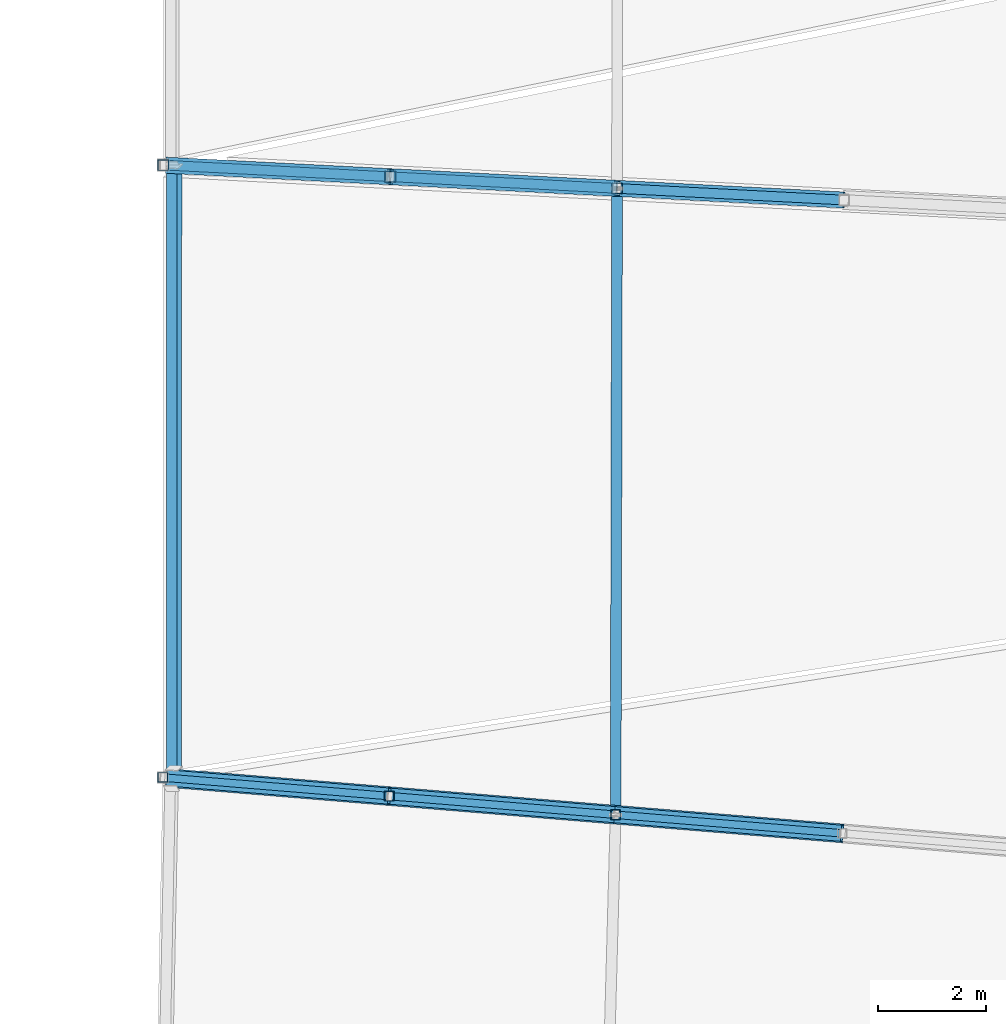
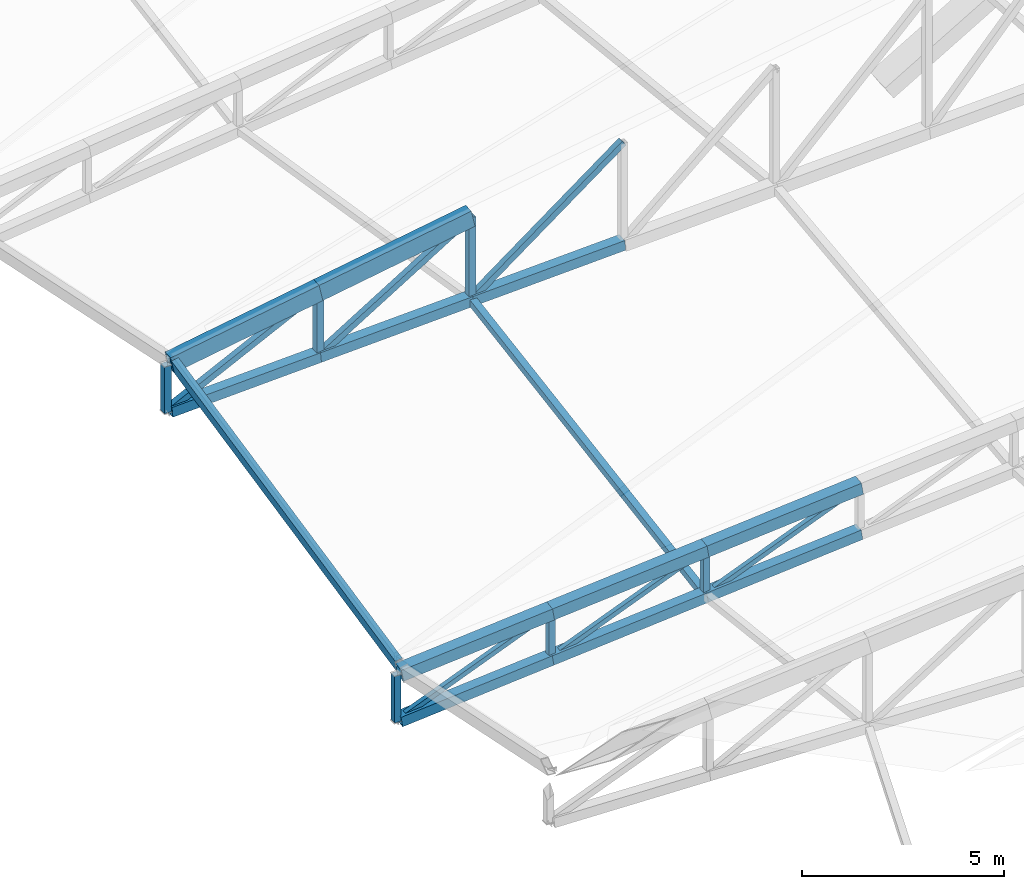
# One storey, part 97 of 344: 24 members, 1 beam.
"""IFC4 building model written with IfcOpenShell, lengths in metres."""

from ifc_helpers import new_model, si_unit, direction, frame, origin, origin_2d, place, context, subcontext, project, spatial, hollow_rectangle, extrude, material, material_profile, profile_set, type_object, element, save


model = new_model("IFC4")

# Units and contexts
model_context = context("Model", 3, precision=1e-05, world=origin(), true_north=direction((0.0, 1.0)))
body_context = subcontext(model_context, "Body", "Model", "MODEL_VIEW")
ifc_project = project(units=[si_unit("LENGTHUNIT", "METRE"), si_unit("AREAUNIT", "SQUARE_METRE"), si_unit("VOLUMEUNIT", "CUBIC_METRE"), si_unit("PLANEANGLEUNIT", "RADIAN"), si_unit("MASSUNIT", "GRAM", prefix="KILO")], contexts=[model_context])

# Site, building, storey
site_placement = place(None, origin())
site = spatial("IfcSite", under=ifc_project, at=site_placement, CompositionType="ELEMENT")
building_placement = place(site_placement, origin())
building = spatial("IfcBuilding", under=site, at=building_placement, Name="Meseta Stadium", CompositionType="ELEMENT")
storey_placement = place(building_placement, frame((0.0, 0.0, 24.0)))
storey = spatial("IfcBuildingStorey", under=building, at=storey_placement, Name="L04", CompositionType="ELEMENT", Elevation=24.0)

# Beam
ifc_material_1 = material(Name="Steel S355", Category="steel")
ifc_material_profile_1 = material_profile(ifc_material_1, hollow_rectangle(XDim=0.199951171875, YDim=0.39990234375, WallThickness=0.01611328125, at=origin_2d()), Name="RHS 400x200x16")
ifc_profile_set_1 = profile_set([ifc_material_profile_1], Name="Steel S355")
beam_type = type_object("IfcBeamType", Name="RHS 400x200x16 tip ring beam", PredefinedType="BEAM", material=ifc_profile_set_1)
beam_placement = place(storey_placement, frame((47.18701171875, -39.6552734375, 2.591796875), z_axis=(0.000727029531, 0.978410682572, 0.206668835717), x_axis=(-0.976934286035, 0.044826790608, -0.208782086428)))
element("IfcBeam", 1, at=beam_placement, inside=storey, type_object=beam_type, Name="TIP RING BEAM 02", PredefinedType="BEAM", context=body_context, shape_type="SweptSolid", body=[
    extrude(hollow_rectangle(XDim=0.199951171875, YDim=0.39990234375, WallThickness=0.01611328125, at=origin_2d()), origin(), (0.0, 0.0, 1.0), 11.41748046875),
])

# Members
ifc_material_2 = material(Name="Steel S355", Category="steel")
ifc_material_profile_2 = material_profile(ifc_material_2, hollow_rectangle(XDim=0.300048828125, YDim=0.5, WallThickness=0.01611328125, at=origin_2d()), Name="RHS 500x300x16")
ifc_profile_set_2 = profile_set([ifc_material_profile_2], Name="Steel S355")
member_type_1 = type_object("IfcMemberType", Name="RHS 500x300x16 top chord", PredefinedType="CHORD", material=ifc_profile_set_2)
member_1_placement = place(storey_placement, frame((47.088623046875, -28.45849609375, 4.95703125), z_axis=(0.976914652207, -0.050203604023, 0.207647201874), x_axis=(0.051322234625, 0.998682145747, 0.0)))
element("IfcMember", 2, at=member_1_placement, inside=storey, type_object=member_type_1, Name="ROOF TRUSS RT-02 top chord", PredefinedType="CHORD", context=body_context, shape_type="SweptSolid", body=[
    extrude(hollow_rectangle(XDim=0.300048828125, YDim=0.5, WallThickness=0.01611328125, at=origin_2d()), origin(), (0.0, 0.0, 1.0), 4.21630859375),
])
member_2_placement = place(storey_placement, frame((51.20751953125, -28.670166015625, 5.83251953125), z_axis=(0.976916249712, -0.050225893339, 0.207634295547), x_axis=(0.051344876791, 0.998680981909, 0.0)))
element("IfcMember", 3, at=member_2_placement, inside=storey, type_object=member_type_1, Name="ROOF TRUSS RT-02 top chord", PredefinedType="CHORD", context=body_context, shape_type="SweptSolid", body=[
    extrude(hollow_rectangle(XDim=0.300048828125, YDim=0.5, WallThickness=0.01611328125, at=origin_2d()), origin(), (0.0, 0.0, 1.0), 4.31640625),
])
ifc_material_3 = material(Name="Steel S355", Category="steel")
ifc_material_profile_3 = material_profile(ifc_material_3, hollow_rectangle(XDim=0.139892578125, YDim=0.139892578125, WallThickness=0.0048828125, at=origin_2d()), Name="SHS 140x140x5")
ifc_profile_set_3 = profile_set([ifc_material_profile_3], Name="Steel S355")
member_type_2 = type_object("IfcMemberType", Name="SHS 140x140x5 diagonal", PredefinedType="BRACE", material=ifc_profile_set_3)
member_3_placement = place(storey_placement, frame((46.982421875, -39.834228515625, 1.0986328125), z_axis=(0.897420022846, -0.073778380852, 0.434964427411), x_axis=(0.081935226242, 0.996637656674, 0.0)))
element("IfcMember", 4, at=member_3_placement, inside=storey, type_object=member_type_2, Name="ROOF TRUSS RT-01 diagonal", PredefinedType="BRACE", context=body_context, shape_type="SweptSolid", body=[
    extrude(hollow_rectangle(XDim=0.139892578125, YDim=0.139892578125, WallThickness=0.0048828125, at=origin_2d()), origin(), (0.0, 0.0, 1.0), 4.68896484375),
])
member_4_placement = place(storey_placement, frame((51.1904296875, -40.18017578125, 1.732177734375), z_axis=(0.897426764102, -0.073835285843, 0.434940862231), x_axis=(0.08199738602, 0.996632544465, 0.0)))
element("IfcMember", 5, at=member_4_placement, inside=storey, type_object=member_type_2, Name="ROOF TRUSS RT-01 diagonal", PredefinedType="BRACE", context=body_context, shape_type="SweptSolid", body=[
    extrude(hollow_rectangle(XDim=0.139892578125, YDim=0.139892578125, WallThickness=0.0048828125, at=origin_2d()), origin(), (0.0, 0.0, 1.0), 4.688720703125),
])
member_5_placement = place(storey_placement, frame((55.398193359375, -40.5263671875, 2.36572265625), z_axis=(0.897440346301, -0.073780051677, 0.434922210063), x_axis=(0.081935226242, 0.996637656674, 0.0)))
element("IfcMember", 6, at=member_5_placement, inside=storey, type_object=member_type_2, Name="ROOF TRUSS RT-01 diagonal", PredefinedType="BRACE", context=body_context, shape_type="SweptSolid", body=[
    extrude(hollow_rectangle(XDim=0.139892578125, YDim=0.139892578125, WallThickness=0.0048828125, at=origin_2d()), origin(), (0.0, 0.0, 1.0), 4.68896484375),
])
ifc_material_4 = material(Name="Steel S355", Category="steel")
ifc_material_profile_4 = material_profile(ifc_material_4, hollow_rectangle(XDim=0.179931640625, YDim=0.179931640625, WallThickness=0.00634765625, at=origin_2d()), Name="SHS 180x180x6.3")
ifc_profile_set_4 = profile_set([ifc_material_profile_4], Name="Steel S355")
member_type_3 = type_object("IfcMemberType", Name="SHS 180x180x6.3 diagonal", PredefinedType="BRACE", material=ifc_profile_set_4)
member_6_placement = place(storey_placement, frame((46.990966796875, -28.453369140625, 3.5361328125), z_axis=(0.877312412955, -0.045107603654, 0.477795180143), x_axis=(0.051347841848, 0.998680829463, 0.0)))
element("IfcMember", 7, at=member_6_placement, inside=storey, type_object=member_type_3, Name="ROOF TRUSS RT-02 diagonal", PredefinedType="BRACE", context=body_context, shape_type="SweptSolid", body=[
    extrude(hollow_rectangle(XDim=0.179931640625, YDim=0.179931640625, WallThickness=0.00634765625, at=origin_2d()), origin(), (0.0, 0.0, 1.0), 4.80615234375),
])
member_7_placement = place(storey_placement, frame((51.20751953125, -28.670166015625, 3.88427734375), z_axis=(0.828265804675, -0.042583373932, 0.558714965856), x_axis=(0.051344876791, 0.998680981909, 0.0)))
element("IfcMember", 8, at=member_7_placement, inside=storey, type_object=member_type_3, Name="ROOF TRUSS RT-02 diagonal", PredefinedType="BRACE", context=body_context, shape_type="SweptSolid", body=[
    extrude(hollow_rectangle(XDim=0.179931640625, YDim=0.179931640625, WallThickness=0.00634765625, at=origin_2d()), origin(), (0.0, 0.0, 1.0), 5.091064453125),
])
member_8_placement = place(storey_placement, frame((55.42431640625, -28.886962890625, 4.232421875), z_axis=(0.778498530256, -0.040027021879, 0.626368801832), x_axis=(0.051347841848, 0.998680829463, 0.0)))
element("IfcMember", 9, at=member_8_placement, inside=storey, type_object=member_type_3, Name="ROOF TRUSS RT-02 diagonal", PredefinedType="BRACE", context=body_context, shape_type="SweptSolid", body=[
    extrude(hollow_rectangle(XDim=0.179931640625, YDim=0.179931640625, WallThickness=0.00634765625, at=origin_2d()), origin(), (0.0, 0.0, 1.0), 5.416259765625),
])
ifc_material_5 = material(Name="Steel S355", Category="steel")
ifc_material_profile_5 = material_profile(ifc_material_5, hollow_rectangle(XDim=0.179931640625, YDim=0.179931640625, WallThickness=0.00634765625, at=origin_2d()), Name="SHS 180x180x6.3")
ifc_profile_set_5 = profile_set([ifc_material_profile_5], Name="Steel S355")
member_type_4 = type_object("IfcMemberType", Name="SHS 180x180x6.3 post", PredefinedType="POST", material=ifc_profile_set_5)
member_9_placement = place(storey_placement, frame((51.1904296875, -40.18017578125, 1.732177734375), z_axis=(0.0, 0.0, 1.0), x_axis=(1.0, 0.0, 0.0)))
element("IfcMember", 10, at=member_9_placement, inside=storey, type_object=member_type_4, Name="ROOF TRUSS RT-01 post", PredefinedType="POST", context=body_context, shape_type="SweptSolid", body=[
    extrude(hollow_rectangle(XDim=0.179931640625, YDim=0.179931640625, WallThickness=0.00634765625, at=origin_2d()), origin(), (0.0, 0.0, 1.0), 1.406005859375),
])
member_10_placement = place(storey_placement, frame((55.398193359375, -40.5263671875, 2.36572265625), z_axis=(0.0, 0.0, 1.0), x_axis=(1.0, 0.0, 0.0)))
element("IfcMember", 11, at=member_10_placement, inside=storey, type_object=member_type_4, Name="ROOF TRUSS RT-01 post", PredefinedType="POST", context=body_context, shape_type="SweptSolid", body=[
    extrude(hollow_rectangle(XDim=0.179931640625, YDim=0.179931640625, WallThickness=0.00634765625, at=origin_2d()), origin(), (0.0, 0.0, 1.0), 1.40576171875),
])
ifc_material_6 = material(Name="Steel S355", Category="steel")
ifc_material_profile_6 = material_profile(ifc_material_6, hollow_rectangle(XDim=0.179931640625, YDim=0.179931640625, WallThickness=0.00634765625, at=origin_2d()), Name="SHS 180x180x6.3")
ifc_profile_set_6 = profile_set([ifc_material_profile_6], Name="Steel S355")
member_type_5 = type_object("IfcMemberType", Name="SHS 180x180x6.3 rim post", PredefinedType="POST", material=ifc_profile_set_6)
member_11_placement = place(storey_placement, frame((46.982421875, -39.834228515625, 1.0986328125), z_axis=(0.0, 0.0, 1.0), x_axis=(1.0, 0.0, 0.0)))
element("IfcMember", 12, at=member_11_placement, inside=storey, type_object=member_type_5, Name="ROOF TRUSS RT-01 post", PredefinedType="POST", context=body_context, shape_type="SweptSolid", body=[
    extrude(hollow_rectangle(XDim=0.179931640625, YDim=0.179931640625, WallThickness=0.00634765625, at=origin_2d()), origin(), (0.0, 0.0, 1.0), 1.406005859375),
])
ifc_material_7 = material(Name="Steel S355", Category="steel")
ifc_material_profile_7 = material_profile(ifc_material_7, hollow_rectangle(XDim=0.199951171875, YDim=0.199951171875, WallThickness=0.008056640625, at=origin_2d()), Name="SHS 200x200x8")
ifc_profile_set_7 = profile_set([ifc_material_profile_7], Name="Steel S355")
member_type_6 = type_object("IfcMemberType", Name="SHS 200x200x8 post", PredefinedType="POST", material=ifc_profile_set_7)
member_12_placement = place(storey_placement, frame((51.20751953125, -28.670166015625, 3.88427734375), z_axis=(0.0, 0.0, 1.0), x_axis=(1.0, 0.0, 0.0)))
element("IfcMember", 13, at=member_12_placement, inside=storey, type_object=member_type_6, Name="ROOF TRUSS RT-02 post", PredefinedType="POST", context=body_context, shape_type="SweptSolid", body=[
    extrude(hollow_rectangle(XDim=0.199951171875, YDim=0.199951171875, WallThickness=0.008056640625, at=origin_2d()), origin(), (0.0, 0.0, 1.0), 1.9482421875),
])
member_13_placement = place(storey_placement, frame((55.42431640625, -28.886962890625, 4.232421875), z_axis=(0.0, 0.0, 1.0), x_axis=(1.0, 0.0, 0.0)))
element("IfcMember", 14, at=member_13_placement, inside=storey, type_object=member_type_6, Name="ROOF TRUSS RT-02 post", PredefinedType="POST", context=body_context, shape_type="SweptSolid", body=[
    extrude(hollow_rectangle(XDim=0.199951171875, YDim=0.199951171875, WallThickness=0.008056640625, at=origin_2d()), origin(), (0.0, 0.0, 1.0), 2.496337890625),
])
ifc_material_8 = material(Name="Steel S355", Category="steel")
ifc_material_profile_8 = material_profile(ifc_material_8, hollow_rectangle(XDim=0.199951171875, YDim=0.199951171875, WallThickness=0.008056640625, at=origin_2d()), Name="SHS 200x200x8")
ifc_profile_set_8 = profile_set([ifc_material_profile_8], Name="Steel S355")
member_type_7 = type_object("IfcMemberType", Name="SHS 200x200x8 rim post", PredefinedType="POST", material=ifc_profile_set_8)
member_14_placement = place(storey_placement, frame((46.990966796875, -28.453369140625, 3.5361328125), z_axis=(0.0, 0.0, 1.0), x_axis=(1.0, 0.0, 0.0)))
element("IfcMember", 15, at=member_14_placement, inside=storey, type_object=member_type_7, Name="ROOF TRUSS RT-02 post", PredefinedType="POST", context=body_context, shape_type="SweptSolid", body=[
    extrude(hollow_rectangle(XDim=0.199951171875, YDim=0.199951171875, WallThickness=0.008056640625, at=origin_2d()), origin(), (0.0, 0.0, 1.0), 1.400146484375),
])
ifc_material_9 = material(Name="Steel S355", Category="steel")
ifc_material_profile_9 = material_profile(ifc_material_9, hollow_rectangle(XDim=0.199951171875, YDim=0.199951171875, WallThickness=0.008056640625, at=origin_2d()), Name="SHS 200x200x8")
ifc_profile_set_9 = profile_set([ifc_material_profile_9], Name="Steel S355")
member_type_8 = type_object("IfcMemberType", Name="SHS 200x200x8 strut", PredefinedType="STRUT", material=ifc_profile_set_9)
member_15_placement = place(storey_placement, frame((55.398193359375, -40.5263671875, 2.36572265625), z_axis=(0.002216038975, 0.98737998262, 0.158353588822), x_axis=(-0.999997481427, 0.002244357221, 0.0)))
element("IfcMember", 16, at=member_15_placement, inside=storey, type_object=member_type_8, Name="ROOF TRUSS STRUT RT-01/02", PredefinedType="STRUT", context=body_context, shape_type="SweptSolid", body=[
    extrude(hollow_rectangle(XDim=0.199951171875, YDim=0.199951171875, WallThickness=0.008056640625, at=origin_2d()), origin(), (0.0, 0.0, 1.0), 11.7880859375),
])
ifc_material_10 = material(Name="Steel S355", Category="steel")
ifc_material_profile_10 = material_profile(ifc_material_10, hollow_rectangle(XDim=0.300048828125, YDim=0.300048828125, WallThickness=0.010009765625, at=origin_2d()), Name="SHS 300x300x10")
ifc_profile_set_10 = profile_set([ifc_material_profile_10], Name="Steel S355")
member_type_9 = type_object("IfcMemberType", Name="SHS 300x300x10 bottom chord", PredefinedType="CHORD", material=ifc_profile_set_10)
member_16_placement = place(storey_placement, frame((47.071044921875, -39.841552734375, 1.112060546875), z_axis=(0.98560757479, -0.081019244132, 0.148369776564), x_axis=(0.081926004933, 0.99663841473, 0.0)))
element("IfcMember", 17, at=member_16_placement, inside=storey, type_object=member_type_9, Name="ROOF TRUSS RT-01 bottom chord", PredefinedType="CHORD", context=body_context, shape_type="SweptSolid", body=[
    extrude(hollow_rectangle(XDim=0.300048828125, YDim=0.300048828125, WallThickness=0.010009765625, at=origin_2d()), origin(), (0.0, 0.0, 1.0), 4.179443359375),
])
member_17_placement = place(storey_placement, frame((51.1904296875, -40.18017578125, 1.732177734375), z_axis=(0.985597666851, -0.081089497627, 0.148397211806), x_axis=(0.08199738602, 0.996632544465, 0.0)))
element("IfcMember", 18, at=member_17_placement, inside=storey, type_object=member_type_9, Name="ROOF TRUSS RT-01 bottom chord", PredefinedType="CHORD", context=body_context, shape_type="SweptSolid", body=[
    extrude(hollow_rectangle(XDim=0.300048828125, YDim=0.300048828125, WallThickness=0.010009765625, at=origin_2d()), origin(), (0.0, 0.0, 1.0), 4.269287109375),
])
member_18_placement = place(storey_placement, frame((55.398193359375, -40.5263671875, 2.36572265625), z_axis=(0.985603870366, -0.081028120464, 0.148389536064), x_axis=(0.081935226242, 0.996637656674, 0.0)))
element("IfcMember", 19, at=member_18_placement, inside=storey, type_object=member_type_9, Name="ROOF TRUSS RT-01 bottom chord", PredefinedType="CHORD", context=body_context, shape_type="SweptSolid", body=[
    extrude(hollow_rectangle(XDim=0.300048828125, YDim=0.300048828125, WallThickness=0.010009765625, at=origin_2d()), origin(), (0.0, 0.0, 1.0), 4.26953125),
])
member_19_placement = place(storey_placement, frame((47.090576171875, -28.45849609375, 3.54443359375), z_axis=(0.995304510317, -0.051172923587, 0.082159988042), x_axis=(0.051346518303, 0.998680897513, 0.0)))
element("IfcMember", 20, at=member_19_placement, inside=storey, type_object=member_type_9, Name="ROOF TRUSS RT-02 bottom chord", PredefinedType="CHORD", context=body_context, shape_type="SweptSolid", body=[
    extrude(hollow_rectangle(XDim=0.300048828125, YDim=0.300048828125, WallThickness=0.010009765625, at=origin_2d()), origin(), (0.0, 0.0, 1.0), 4.136474609375),
])
member_20_placement = place(storey_placement, frame((51.20751953125, -28.670166015625, 3.88427734375), z_axis=(0.995303472079, -0.051171229922, 0.082173619221), x_axis=(0.051344876791, 0.998680981909, 0.0)))
element("IfcMember", 21, at=member_20_placement, inside=storey, type_object=member_type_9, Name="ROOF TRUSS RT-02 bottom chord", PredefinedType="CHORD", context=body_context, shape_type="SweptSolid", body=[
    extrude(hollow_rectangle(XDim=0.300048828125, YDim=0.300048828125, WallThickness=0.010009765625, at=origin_2d()), origin(), (0.0, 0.0, 1.0), 4.23681640625),
])
member_21_placement = place(storey_placement, frame((55.42431640625, -28.886962890625, 4.232421875), z_axis=(0.995302932026, -0.051174164996, 0.082178332527), x_axis=(0.051347841848, 0.998680829463, 0.0)))
element("IfcMember", 22, at=member_21_placement, inside=storey, type_object=member_type_9, Name="ROOF TRUSS RT-02 bottom chord", PredefinedType="CHORD", context=body_context, shape_type="SweptSolid", body=[
    extrude(hollow_rectangle(XDim=0.300048828125, YDim=0.300048828125, WallThickness=0.010009765625, at=origin_2d()), origin(), (0.0, 0.0, 1.0), 4.236572265625),
])
ifc_material_11 = material(Name="Steel S355", Category="steel")
ifc_material_profile_11 = material_profile(ifc_material_11, hollow_rectangle(XDim=0.35009765625, YDim=0.35009765625, WallThickness=0.010009765625, at=origin_2d()), Name="SHS 350x350x10")
ifc_profile_set_11 = profile_set([ifc_material_profile_11], Name="Steel S355")
member_type_10 = type_object("IfcMemberType", Name="SHS 350x350x10 top chord", PredefinedType="CHORD", material=ifc_profile_set_11)
member_22_placement = place(storey_placement, frame((47.071044921875, -39.841552734375, 2.51806640625), z_axis=(0.98560757479, -0.081019244132, 0.148369776564), x_axis=(0.081926004933, 0.99663841473, 0.0)))
element("IfcMember", 23, at=member_22_placement, inside=storey, type_object=member_type_10, Name="ROOF TRUSS RT-01 top chord", PredefinedType="CHORD", context=body_context, shape_type="SweptSolid", body=[
    extrude(hollow_rectangle(XDim=0.35009765625, YDim=0.35009765625, WallThickness=0.010009765625, at=origin_2d()), origin(), (0.0, 0.0, 1.0), 4.179443359375),
])
member_23_placement = place(storey_placement, frame((51.1904296875, -40.18017578125, 3.13818359375), z_axis=(0.985606029342, -0.081090185646, 0.148341284602), x_axis=(0.08199738602, 0.996632544465, 0.0)))
element("IfcMember", 24, at=member_23_placement, inside=storey, type_object=member_type_10, Name="ROOF TRUSS RT-01 top chord", PredefinedType="CHORD", context=body_context, shape_type="SweptSolid", body=[
    extrude(hollow_rectangle(XDim=0.35009765625, YDim=0.35009765625, WallThickness=0.010009765625, at=origin_2d()), origin(), (0.0, 0.0, 1.0), 4.269287109375),
])
member_24_placement = place(storey_placement, frame((55.398193359375, -40.5263671875, 3.771484375), z_axis=(0.985603870366, -0.081028120464, 0.148389536064), x_axis=(0.081935226242, 0.996637656674, 0.0)))
element("IfcMember", 25, at=member_24_placement, inside=storey, type_object=member_type_10, Name="ROOF TRUSS RT-01 top chord", PredefinedType="CHORD", context=body_context, shape_type="SweptSolid", body=[
    extrude(hollow_rectangle(XDim=0.35009765625, YDim=0.35009765625, WallThickness=0.010009765625, at=origin_2d()), origin(), (0.0, 0.0, 1.0), 4.26953125),
])

save(model, "model.ifc")
